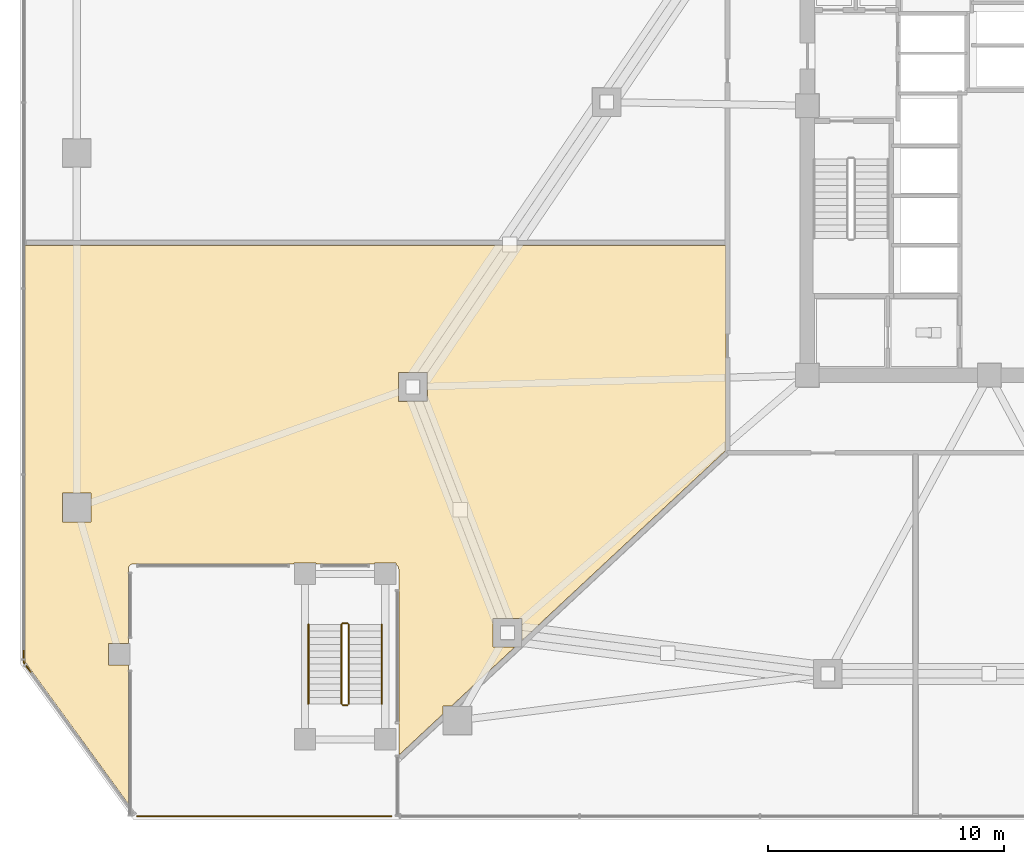
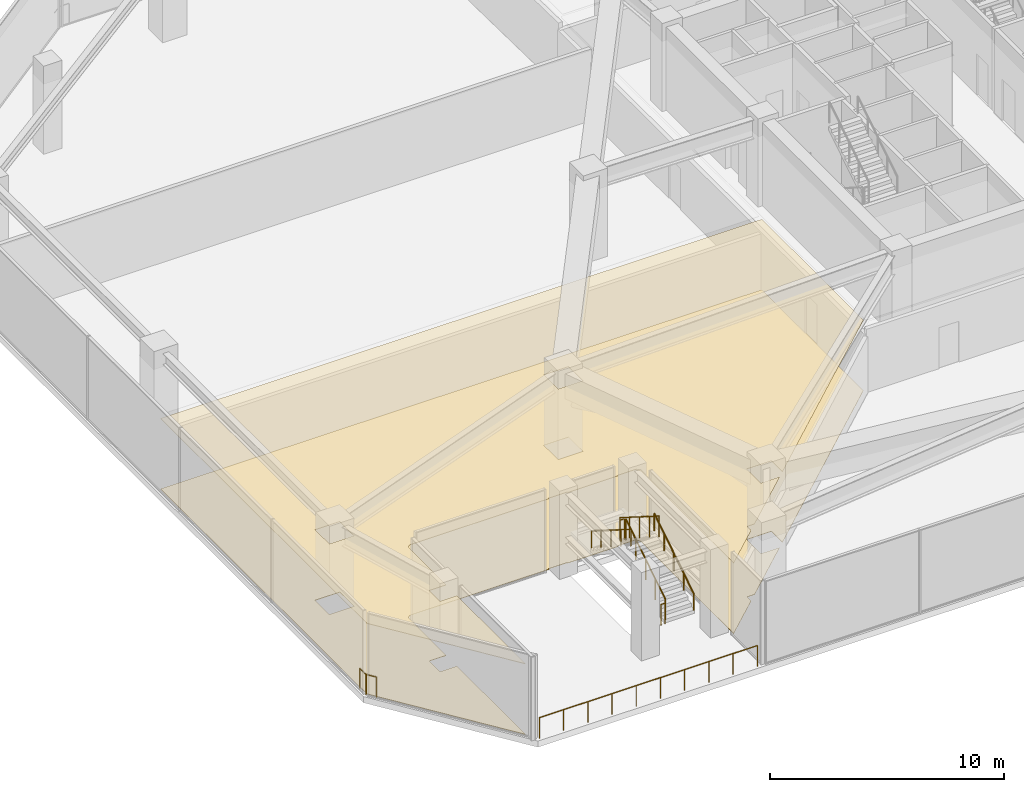
# One storey, part 17 of 23: 8 railings, 2 coverings.
"""IFC4 building model written with IfcOpenShell, lengths in metres."""

from ifc_helpers import new_model, si_unit, direction, frame, origin, origin_2d, place, context, subcontext, project, spatial, polyline, circle, outline, extrude, material, layer, layer_set, type_object, element, save


model = new_model("IFC4")

# Units and contexts
model_context = context("Model", 3, precision=1e-05, world=origin(), true_north=direction((0.0, 1.0)))
body_context = subcontext(model_context, "Body", "Model", "MODEL_VIEW")
ifc_project = project(units=[si_unit("LENGTHUNIT", "METRE"), si_unit("AREAUNIT", "SQUARE_METRE"), si_unit("VOLUMEUNIT", "CUBIC_METRE"), si_unit("PLANEANGLEUNIT", "RADIAN"), si_unit("MASSUNIT", "GRAM", prefix="KILO")], contexts=[model_context])

# Site, building, storey
site_placement = place(None, origin())
site = spatial("IfcSite", under=ifc_project, at=site_placement, CompositionType="ELEMENT")
building_placement = place(site_placement, origin())
building = spatial("IfcBuilding", under=site, at=building_placement, Name="Savorim Split Tower", CompositionType="ELEMENT")
storey_placement = place(building_placement, frame((0.0, 0.0, 21.800048828125)))
storey = spatial("IfcBuildingStorey", under=building, at=storey_placement, Name="L05", CompositionType="ELEMENT", Elevation=21.800048828125)

# Coverings
ifc_material_1 = material(Name="Mineral Fibre Acoustic Ceiling")
ifc_layer_1 = layer(ifc_material_1, 0.02490234375)
ifc_layer_set_1 = layer_set([ifc_layer_1], Name="COV-CEIL-25")
covering_type_1 = type_object("IfcCoveringType", Name="COV-CEIL-25", PredefinedType="CEILING", material=ifc_layer_set_1)
covering_1_placement = place(storey_placement, frame((0.0, 0.0, 3.669921875)))
element("IfcCovering", 1, at=covering_1_placement, inside=storey, type_object=covering_type_1, Name="L05 AHU Mechanical Plant Room 1 Acoustic Ceiling", PredefinedType="CEILING", context=body_context, shape_type="SweptSolid", body=[
    extrude(outline(polyline([(-11.139892578125, -3.9130859375), (-40.72998046875, -3.9130859375), (-40.780029296875, -3.9130859375), (-40.780029296875, -21.528564453125), (-36.419921875, -27.5234375), (-36.419921875, -21.659912109375), (-37.260009765625, -21.659912109375), (-37.260009765625, -20.739990234375), (-36.419921875, -20.739990234375), (-36.419921875, -17.60009765625), (-36.4189453125, -17.578369140625), (-36.415771484375, -17.55712890625), (-36.410400390625, -17.5361328125), (-36.4033203125, -17.515869140625), (-36.39404296875, -17.496337890625), (-36.3828125, -17.477783203125), (-36.3701171875, -17.46044921875), (-36.355712890625, -17.4443359375), (-36.339599609375, -17.429931640625), (-36.322265625, -17.4169921875), (-36.3037109375, -17.406005859375), (-36.2841796875, -17.396728515625), (-36.263916015625, -17.389404296875), (-36.242919921875, -17.38427734375), (-36.2216796875, -17.381103515625), (-36.199951171875, -17.3798828125), (-29.409912109375, -17.3798828125), (-29.409912109375, -17.340087890625), (-28.489990234375, -17.340087890625), (-28.489990234375, -17.3798828125), (-26.010009765625, -17.3798828125), (-26.010009765625, -17.340087890625), (-25.090087890625, -17.340087890625), (-25.090087890625, -17.40966796875), (-25.077880859375, -17.4169921875), (-25.060302734375, -17.429931640625), (-25.04443359375, -17.4443359375), (-25.02978515625, -17.46044921875), (-25.01708984375, -17.477783203125), (-25.006103515625, -17.496337890625), (-24.99658203125, -17.515869140625), (-24.989501953125, -17.5361328125), (-24.984130859375, -17.55712890625), (-24.981201171875, -17.578369140625), (-24.97998046875, -17.60009765625), (-24.97998046875, -25.468505859375), (-23.110107421875, -23.72607421875), (-23.110107421875, -23.389892578125), (-22.74951171875, -23.389892578125), (-20.078857421875, -20.90185546875), (-20.994140625, -20.90185546875), (-20.994140625, -19.681884765625), (-19.774169921875, -19.681884765625), (-19.774169921875, -20.617919921875), (-11.1806640625, -12.611083984375), (-11.139892578125, -12.5732421875), (-11.139892578125, -3.9130859375)]), holes=[polyline([(-39.2099609375, -14.389892578125), (-39.2099609375, -15.610107421875), (-37.989990234375, -15.610107421875), (-37.989990234375, -14.389892578125), (-39.2099609375, -14.389892578125)]), polyline([(-23.7744140625, -9.2841796875), (-24.994384765625, -9.2841796875), (-24.994384765625, -10.50439453125), (-23.7744140625, -10.50439453125), (-23.7744140625, -9.2841796875)])]), origin(), (0.0, 0.0, 1.0), 0.025146484375),
])
ifc_material_2 = material(Name="Porcelain Stoneware Flooring", Category="masonry")
ifc_layer_2 = layer(ifc_material_2, 0.02001953125)
ifc_layer_set_2 = layer_set([ifc_layer_2], Name="COV-FLOR-20")
covering_type_2 = type_object("IfcCoveringType", Name="COV-FLOR-20", PredefinedType="FLOORING", material=ifc_layer_set_2)
covering_2_placement = place(storey_placement, origin())
element("IfcCovering", 2, at=covering_2_placement, inside=storey, type_object=covering_type_2, Name="L05 AHU Mechanical Plant Room 1 Porcelain Flooring", PredefinedType="FLOORING", context=body_context, shape_type="SweptSolid", body=[
    extrude(outline(polyline([(-11.139892578125, -3.9130859375), (-40.72998046875, -3.9130859375), (-40.780029296875, -3.9130859375), (-40.780029296875, -21.528564453125), (-36.419921875, -27.5234375), (-36.419921875, -21.659912109375), (-37.260009765625, -21.659912109375), (-37.260009765625, -20.739990234375), (-36.419921875, -20.739990234375), (-36.419921875, -17.60009765625), (-36.4189453125, -17.578369140625), (-36.415771484375, -17.55712890625), (-36.410400390625, -17.5361328125), (-36.4033203125, -17.515869140625), (-36.39404296875, -17.496337890625), (-36.3828125, -17.477783203125), (-36.3701171875, -17.46044921875), (-36.355712890625, -17.4443359375), (-36.339599609375, -17.429931640625), (-36.322265625, -17.4169921875), (-36.3037109375, -17.406005859375), (-36.2841796875, -17.396728515625), (-36.263916015625, -17.389404296875), (-36.242919921875, -17.38427734375), (-36.2216796875, -17.381103515625), (-36.199951171875, -17.3798828125), (-29.409912109375, -17.3798828125), (-29.409912109375, -17.340087890625), (-28.489990234375, -17.340087890625), (-28.489990234375, -17.3798828125), (-26.010009765625, -17.3798828125), (-26.010009765625, -17.340087890625), (-25.090087890625, -17.340087890625), (-25.090087890625, -17.40966796875), (-25.077880859375, -17.4169921875), (-25.060302734375, -17.429931640625), (-25.04443359375, -17.4443359375), (-25.02978515625, -17.46044921875), (-25.01708984375, -17.477783203125), (-25.006103515625, -17.496337890625), (-24.99658203125, -17.515869140625), (-24.989501953125, -17.5361328125), (-24.984130859375, -17.55712890625), (-24.981201171875, -17.578369140625), (-24.97998046875, -17.60009765625), (-24.97998046875, -25.468505859375), (-23.110107421875, -23.72607421875), (-23.110107421875, -23.389892578125), (-22.74951171875, -23.389892578125), (-20.078857421875, -20.90185546875), (-20.994140625, -20.90185546875), (-20.994140625, -19.681884765625), (-19.774169921875, -19.681884765625), (-19.774169921875, -20.617919921875), (-11.1806640625, -12.611083984375), (-11.139892578125, -12.5732421875), (-11.139892578125, -3.9130859375)]), holes=[polyline([(-39.2099609375, -14.389892578125), (-39.2099609375, -15.610107421875), (-37.989990234375, -15.610107421875), (-37.989990234375, -14.389892578125), (-39.2099609375, -14.389892578125)]), polyline([(-23.7744140625, -9.2841796875), (-24.994384765625, -9.2841796875), (-24.994384765625, -10.50439453125), (-23.7744140625, -10.50439453125), (-23.7744140625, -9.2841796875)])]), origin(), (0.0, 0.0, 1.0), 0.02001953125),
])

# Railings
ifc_material_3 = material(Name="Galvanised Painted Steel Balustrade", Category="steel")
railing_type_1 = type_object("IfcRailingType", Name="RLG-BAL-1100", PredefinedType="BALUSTRADE", material=ifc_material_3)
railing_1_placement = place(storey_placement, frame((-40.840087890625, -21.050048828125, 0.0)))
element("IfcRailing", 3, at=railing_1_placement, inside=storey, type_object=railing_type_1, Name="L05 Podium Perimeter Corner Guard 10", PredefinedType="BALUSTRADE", context=body_context, shape_type="SweptSolid", body=[
    extrude(circle(Radius=0.02392578125, at=origin_2d()), frame((0.0, 0.0, 1.076171875), z_axis=(-0.006849154413, -0.999976544267, 0.0), x_axis=(0.999976544267, -0.006849154413, 0.0)), (0.0, 0.0, 1.0), 0.4990234375),
    extrude(circle(Radius=0.02392578125, at=origin_2d()), frame((-0.00341796875, -0.4990234375, 1.076171875), z_axis=(0.593799523751, -0.804613028476, 0.0), x_axis=(0.804613028476, 0.593799523751, 0.0)), (0.0, 0.0, 1.0), 0.4990234375),
    extrude(circle(Radius=0.02099609375, at=origin_2d()), origin(), (0.0, 0.0, 1.0), 1.052001953125),
    extrude(circle(Radius=0.02099609375, at=origin_2d()), frame((-0.00341796875, -0.4990234375, 0.0)), (0.0, 0.0, 1.0), 1.052001953125),
    extrude(circle(Radius=0.02099609375, at=origin_2d()), frame((0.29296875, -0.900634765625, 0.0)), (0.0, 0.0, 1.0), 1.052001953125),
])
railing_2_placement = place(storey_placement, frame((-36.050048828125, -28.050048828125, 0.0)))
element("IfcRailing", 4, at=railing_2_placement, inside=storey, type_object=railing_type_1, Name="L05 Open-Air Stepped Garden Stair Terrace Balustrade", PredefinedType="BALUSTRADE", context=body_context, shape_type="SweptSolid", body=[
    extrude(circle(Radius=0.02392578125, at=origin_2d()), frame((0.0, 0.0, 1.076171875), z_axis=(1.0, 0.0, 0.0), x_axis=(0.0, 1.0, 0.0)), (0.0, 0.0, 1.0), 10.75),
    extrude(circle(Radius=0.02099609375, at=origin_2d()), origin(), (0.0, 0.0, 1.0), 1.052001953125),
    extrude(circle(Radius=0.02099609375, at=origin_2d()), frame((1.1943359375, 0.0, 0.0)), (0.0, 0.0, 1.0), 1.052001953125),
    extrude(circle(Radius=0.02099609375, at=origin_2d()), frame((2.388916015625, 0.0, 0.0)), (0.0, 0.0, 1.0), 1.052001953125),
    extrude(circle(Radius=0.02099609375, at=origin_2d()), frame((3.583251953125, 0.0, 0.0)), (0.0, 0.0, 1.0), 1.052001953125),
    extrude(circle(Radius=0.02099609375, at=origin_2d()), frame((4.77783203125, 0.0, 0.0)), (0.0, 0.0, 1.0), 1.052001953125),
    extrude(circle(Radius=0.02099609375, at=origin_2d()), frame((5.97216796875, 0.0, 0.0)), (0.0, 0.0, 1.0), 1.052001953125),
    extrude(circle(Radius=0.02099609375, at=origin_2d()), frame((7.166748046875, 0.0, 0.0)), (0.0, 0.0, 1.0), 1.052001953125),
    extrude(circle(Radius=0.02099609375, at=origin_2d()), frame((8.361083984375, 0.0, 0.0)), (0.0, 0.0, 1.0), 1.052001953125),
    extrude(circle(Radius=0.02099609375, at=origin_2d()), frame((9.5556640625, 0.0, 0.0)), (0.0, 0.0, 1.0), 1.052001953125),
    extrude(circle(Radius=0.02099609375, at=origin_2d()), frame((10.75, 0.0, 0.0)), (0.0, 0.0, 1.0), 1.052001953125),
])
railing_type_2 = type_object("IfcRailingType", Name="RLG-HR-900", PredefinedType="HANDRAIL", material=ifc_material_3)
railing_3_placement = place(storey_placement, frame((-25.699951171875, -23.300048828125, 0.1767578125)))
element("IfcRailing", 5, at=railing_3_placement, inside=storey, type_object=railing_type_2, Name="L05 ST-GDN stair handrail 1", PredefinedType="HANDRAIL", context=body_context, shape_type="SweptSolid", body=[
    extrude(circle(Radius=0.02392578125, at=origin_2d()), frame((0.0, 0.0, 0.8759765625), z_axis=(0.0, 0.845361898145, 0.534194029511), x_axis=(-1.0, 0.0, 0.0)), (0.0, 0.0, 1.0), 3.974853515625),
    extrude(circle(Radius=0.02099609375, at=origin_2d()), origin(), (0.0, 0.0, 1.0), 0.851806640625),
    extrude(circle(Radius=0.02099609375, at=origin_2d()), frame((0.0, 0.840087890625, 0.53076171875)), (0.0, 0.0, 1.0), 0.851806640625),
    extrude(circle(Radius=0.02099609375, at=origin_2d()), frame((0.0, 1.68017578125, 1.0615234375)), (0.0, 0.0, 1.0), 0.851806640625),
    extrude(circle(Radius=0.02099609375, at=origin_2d()), frame((0.0, 2.52001953125, 1.592529296875)), (0.0, 0.0, 1.0), 0.851806640625),
    extrude(circle(Radius=0.02099609375, at=origin_2d()), frame((0.0, 3.360107421875, 2.123291015625)), (0.0, 0.0, 1.0), 0.851806640625),
])
railing_4_placement = place(storey_placement, frame((-28.800048828125, -19.93994140625, 2.476806640625)))
element("IfcRailing", 6, at=railing_4_placement, inside=storey, type_object=railing_type_2, Name="L05 ST-GDN stair handrail 2", PredefinedType="HANDRAIL", context=body_context, shape_type="SweptSolid", body=[
    extrude(circle(Radius=0.02392578125, at=origin_2d()), frame((0.0, 0.0, 0.8759765625), z_axis=(0.0, -0.845389635667, 0.534150132366), x_axis=(1.0, 0.0, 0.0)), (0.0, 0.0, 1.0), 3.974609375),
    extrude(circle(Radius=0.02099609375, at=origin_2d()), origin(), (0.0, 0.0, 1.0), 0.851806640625),
    extrude(circle(Radius=0.02099609375, at=origin_2d()), frame((0.0, -0.840087890625, 0.53076171875)), (0.0, 0.0, 1.0), 0.851806640625),
    extrude(circle(Radius=0.02099609375, at=origin_2d()), frame((0.0, -1.68017578125, 1.0615234375)), (0.0, 0.0, 1.0), 0.851806640625),
    extrude(circle(Radius=0.02099609375, at=origin_2d()), frame((0.0, -2.52001953125, 1.59228515625)), (0.0, 0.0, 1.0), 0.851806640625),
    extrude(circle(Radius=0.02099609375, at=origin_2d()), frame((0.0, -3.360107421875, 2.123046875)), (0.0, 0.0, 1.0), 0.851806640625),
])
railing_type_3 = type_object("IfcRailingType", Name="RLG-STG-1100", PredefinedType="BALUSTRADE", material=ifc_material_3)
railing_5_placement = place(storey_placement, frame((-27.10009765625, -23.300048828125, 0.1767578125)))
element("IfcRailing", 7, at=railing_5_placement, inside=storey, type_object=railing_type_3, Name="L05 ST-GDN stair guard 1", PredefinedType="BALUSTRADE", context=body_context, shape_type="SweptSolid", body=[
    extrude(circle(Radius=0.02392578125, at=origin_2d()), frame((0.0, 0.0, 1.076171875), z_axis=(0.0, 0.845361898145, 0.534194029511), x_axis=(-1.0, 0.0, 0.0)), (0.0, 0.0, 1.0), 3.974853515625),
    extrude(circle(Radius=0.02099609375, at=origin_2d()), origin(), (0.0, 0.0, 1.0), 1.052001953125),
    extrude(circle(Radius=0.02099609375, at=origin_2d()), frame((0.0, 0.840087890625, 0.53076171875)), (0.0, 0.0, 1.0), 1.052001953125),
    extrude(circle(Radius=0.02099609375, at=origin_2d()), frame((0.0, 1.68017578125, 1.0615234375)), (0.0, 0.0, 1.0), 1.052001953125),
    extrude(circle(Radius=0.02099609375, at=origin_2d()), frame((0.0, 2.52001953125, 1.592529296875)), (0.0, 0.0, 1.0), 1.052001953125),
    extrude(circle(Radius=0.02099609375, at=origin_2d()), frame((0.0, 3.360107421875, 2.123291015625)), (0.0, 0.0, 1.0), 1.052001953125),
])
railing_6_placement = place(storey_placement, frame((-27.14990234375, -19.889892578125, 2.300048828125)))
element("IfcRailing", 8, at=railing_6_placement, inside=storey, type_object=railing_type_3, Name="L05 ST-GDN stair guard 2", PredefinedType="BALUSTRADE", context=body_context, shape_type="SweptSolid", body=[
    extrude(circle(Radius=0.02392578125, at=origin_2d()), frame((0.0, 0.0, 1.076171875), z_axis=(-1.0, 0.0, 0.0), x_axis=(0.0, -1.0, 0.0)), (0.0, 0.0, 1.0), 0.2001953125),
    extrude(circle(Radius=0.02099609375, at=origin_2d()), origin(), (0.0, 0.0, 1.0), 1.052001953125),
    extrude(circle(Radius=0.02099609375, at=origin_2d()), frame((-0.2001953125, 0.0, 0.0)), (0.0, 0.0, 1.0), 1.052001953125),
])
railing_7_placement = place(storey_placement, frame((-27.39990234375, -19.93994140625, 2.476806640625)))
element("IfcRailing", 9, at=railing_7_placement, inside=storey, type_object=railing_type_3, Name="L05 ST-GDN stair guard 3", PredefinedType="BALUSTRADE", context=body_context, shape_type="SweptSolid", body=[
    extrude(circle(Radius=0.02392578125, at=origin_2d()), frame((0.0, 0.0, 1.076171875), z_axis=(0.0, -0.845389635667, 0.534150132366), x_axis=(1.0, 0.0, 0.0)), (0.0, 0.0, 1.0), 3.974609375),
    extrude(circle(Radius=0.02099609375, at=origin_2d()), origin(), (0.0, 0.0, 1.0), 1.052001953125),
    extrude(circle(Radius=0.02099609375, at=origin_2d()), frame((0.0, -0.840087890625, 0.53076171875)), (0.0, 0.0, 1.0), 1.052001953125),
    extrude(circle(Radius=0.02099609375, at=origin_2d()), frame((0.0, -1.68017578125, 1.0615234375)), (0.0, 0.0, 1.0), 1.052001953125),
    extrude(circle(Radius=0.02099609375, at=origin_2d()), frame((0.0, -2.52001953125, 1.59228515625)), (0.0, 0.0, 1.0), 1.052001953125),
    extrude(circle(Radius=0.02099609375, at=origin_2d()), frame((0.0, -3.360107421875, 2.123046875)), (0.0, 0.0, 1.0), 1.052001953125),
])
railing_8_placement = place(storey_placement, frame((-27.14990234375, -23.35009765625, 0.0)))
element("IfcRailing", 10, at=railing_8_placement, inside=storey, type_object=railing_type_3, Name="L05 ST-GDN stair guard 4", PredefinedType="BALUSTRADE", context=body_context, shape_type="SweptSolid", body=[
    extrude(circle(Radius=0.02392578125, at=origin_2d()), frame((0.0, 0.0, 1.076171875), z_axis=(-1.0, 0.0, 0.0), x_axis=(0.0, -1.0, 0.0)), (0.0, 0.0, 1.0), 0.2001953125),
    extrude(circle(Radius=0.02099609375, at=origin_2d()), origin(), (0.0, 0.0, 1.0), 1.052001953125),
    extrude(circle(Radius=0.02099609375, at=origin_2d()), frame((-0.2001953125, 0.0, 0.0)), (0.0, 0.0, 1.0), 1.052001953125),
])

save(model, "model.ifc")
